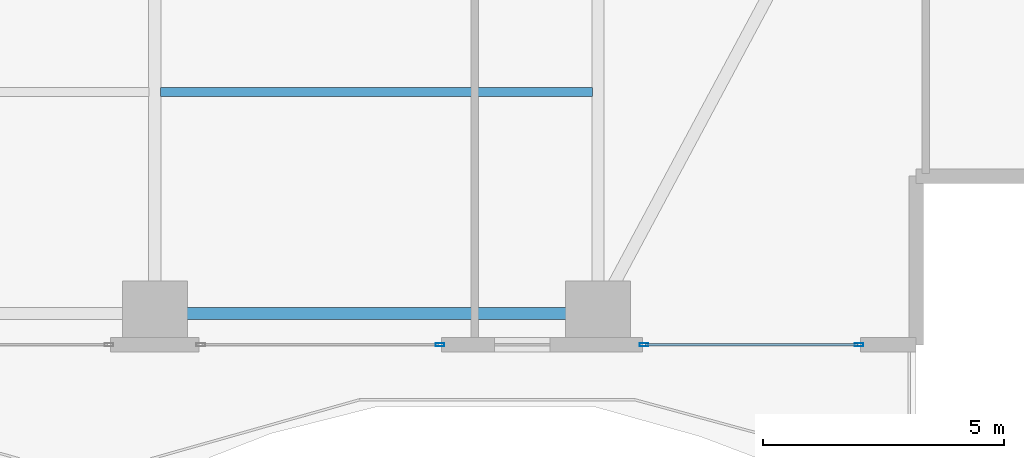
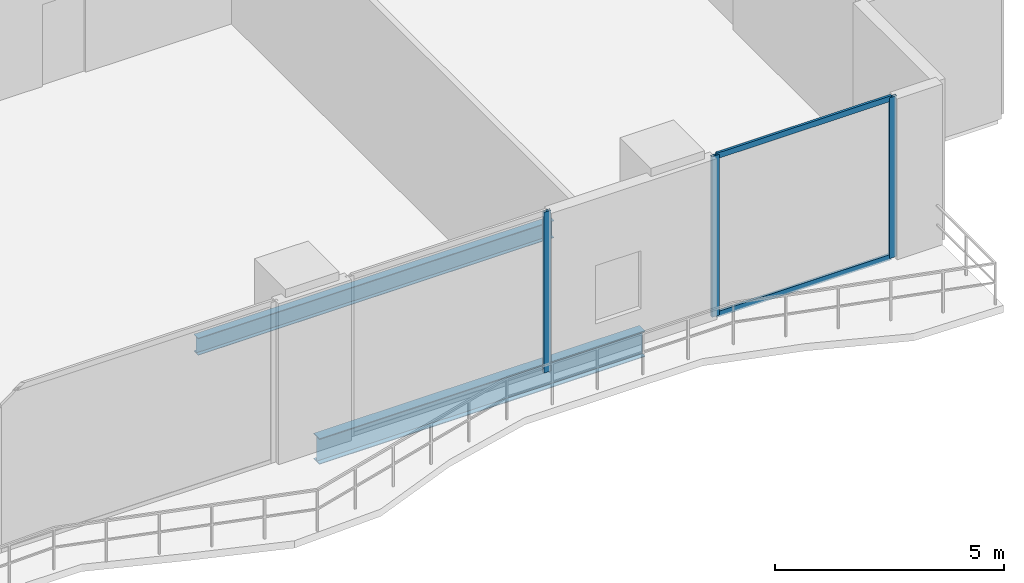
# One storey, part 12 of 33: 5 members, 2 beams, 2 elements without a shape of their own.
"""IFC4 building model written with IfcOpenShell, lengths in metres."""

from ifc_helpers import new_model, si_unit, direction, frame, origin, origin_2d, place, context, subcontext, project, spatial, hollow_rectangle, i_section, extrude, material, layer, layer_set, material_profile, profile_set, type_object, element, aggregate, save


model = new_model("IFC4")

# Units and contexts
model_context = context("Model", 3, precision=1e-05, world=origin(), true_north=direction((0.0, 1.0)))
body_context = subcontext(model_context, "Body", "Model", "MODEL_VIEW")
ifc_project = project(units=[si_unit("LENGTHUNIT", "METRE"), si_unit("AREAUNIT", "SQUARE_METRE"), si_unit("VOLUMEUNIT", "CUBIC_METRE"), si_unit("PLANEANGLEUNIT", "RADIAN"), si_unit("MASSUNIT", "GRAM", prefix="KILO")], contexts=[model_context])

# Site, building, storey
site_placement = place(None, origin())
site = spatial("IfcSite", under=ifc_project, at=site_placement, CompositionType="ELEMENT")
building_placement = place(site_placement, origin())
building = spatial("IfcBuilding", under=site, at=building_placement, Name="Zuhayl Quay Hotel", CompositionType="ELEMENT")
storey_placement = place(building_placement, frame((0.0, 0.0, 154.050048828125)))
storey = spatial("IfcBuildingStorey", under=building, at=storey_placement, Name="L39", CompositionType="ELEMENT", Elevation=154.050048828125)

# Beams
ifc_material_1 = material(Name="Steel ASTM A992 Grade 50", Category="steel")
ifc_material_profile_1 = material_profile(ifc_material_1, i_section(OverallWidth=0.25390625, OverallDepth=0.68310546875, WebThickness=0.012451171875, FlangeThickness=0.018798828125, at=origin_2d()), Name="W27X94")
ifc_profile_set_1 = profile_set([ifc_material_profile_1], Name="Steel ASTM A992 Grade 50")
beam_type_1 = type_object("IfcBeamType", Name="BM_B2_W27X94", PredefinedType="BEAM", material=ifc_profile_set_1)
beam_1_placement = place(storey_placement, frame((5.10009765625, -14.75, -0.5615234375), z_axis=(1.0, 0.0, 0.0), x_axis=(0.0, 1.0, 0.0)))
element("IfcBeam", 1, at=beam_1_placement, inside=storey, type_object=beam_type_1, Name="L39 Floor Beam RG_L39_03", PredefinedType="BEAM", context=body_context, shape_type="SweptSolid", body=[
    extrude(i_section(OverallWidth=0.25390625, OverallDepth=0.68310546875, WebThickness=0.012451171875, FlangeThickness=0.018798828125, at=origin_2d()), origin(), (0.0, 0.0, 1.0), 8.199951171875),
])
ifc_material_profile_2 = material_profile(ifc_material_1, i_section(OverallWidth=0.18994140625, OverallDepth=0.45703125, WebThickness=0.009033203125, FlangeThickness=0.014404296875, at=origin_2d()), Name="W18X50")
ifc_profile_set_2 = profile_set([ifc_material_profile_2], Name="Steel ASTM A992 Grade 50")
beam_type_2 = type_object("IfcBeamType", Name="BM_J2_W18X50", PredefinedType="JOIST", material=ifc_profile_set_2)
beam_2_placement = place(storey_placement, frame((4.718994140625, -10.14990234375, -0.448486328125), z_axis=(1.0, 0.0, 0.0), x_axis=(0.0, 1.0, 0.0)))
element("IfcBeam", 2, at=beam_2_placement, inside=storey, type_object=beam_type_2, Name="L39 Floor Beam FJ_L39_5_3", PredefinedType="JOIST", context=body_context, shape_type="SweptSolid", body=[
    extrude(i_section(OverallWidth=0.18994140625, OverallDepth=0.45703125, WebThickness=0.009033203125, FlangeThickness=0.014404296875, at=origin_2d()), origin(), (0.0, 0.0, 1.0), 8.9619140625),
])

# Curtain wall, members
ifc_material_2 = material(Name="Anodised Aluminium 6063-T6", Category="aluminium")
ifc_layer = layer(ifc_material_2, 0.179931640625, Name="Anodised Aluminium 6063-T6", Category="aluminium")
ifc_layer_set = layer_set([ifc_layer], Name="Anodised Aluminium 6063-T6")
curtain_wall_type = type_object("IfcCurtainWallType", Name="CW_SYS_Z2", PredefinedType="USERDEFINED", material=ifc_layer_set)
curtain_wall_1_placement = place(storey_placement, origin())
curtain_wall_1 = element("IfcCurtainWall", 3, at=curtain_wall_1_placement, inside=storey, type_object=curtain_wall_type, Name="L39 Curtain Wall ENV_L39_S_CW1", ObjectType="UNITISED CURTAIN WALL", PredefinedType="USERDEFINED")
ifc_material_3 = material(Name="Black-anodised aluminium 6063-T6", Category="aluminium")
ifc_material_profile_3 = material_profile(ifc_material_3, hollow_rectangle(XDim=0.06494140625, YDim=0.179931640625, WallThickness=0.00341796875, at=origin_2d()), Name="ALU180X65")
ifc_profile_set_3 = profile_set([ifc_material_profile_3], Name="Black-anodised aluminium 6063-T6")
member_type_1 = type_object("IfcMemberType", Name="MB_CW_MUL_180", PredefinedType="MULLION", material=ifc_profile_set_3)
member_1_placement = place(storey_placement, frame((19.217529296875, -15.39990234375, 0.0), z_axis=(0.0, 0.0, 1.0), x_axis=(0.0, -1.0, 0.0)))
member_1 = element("IfcMember", 4, at=member_1_placement, type_object=member_type_1, Name="CW-Z2 mullion 1", PredefinedType="MULLION", context=body_context, shape_type="SweptSolid", body=[
    extrude(hollow_rectangle(XDim=0.06494140625, YDim=0.179931640625, WallThickness=0.00341796875, at=origin_2d()), origin(), (0.0, 0.0, 1.0), 4.280029296875),
])
member_2_placement = place(storey_placement, frame((14.75244140625, -15.39990234375, 0.0), z_axis=(0.0, 0.0, 1.0), x_axis=(0.0, -1.0, 0.0)))
member_2 = element("IfcMember", 5, at=member_2_placement, type_object=member_type_1, Name="CW-Z2 mullion 2", PredefinedType="MULLION", context=body_context, shape_type="SweptSolid", body=[
    extrude(hollow_rectangle(XDim=0.06494140625, YDim=0.179931640625, WallThickness=0.00341796875, at=origin_2d()), origin(), (0.0, 0.0, 1.0), 4.280029296875),
])

# Curtain wall, member
curtain_wall_2_placement = place(storey_placement, origin())
curtain_wall_2 = element("IfcCurtainWall", 6, at=curtain_wall_2_placement, inside=storey, type_object=curtain_wall_type, Name="L39 Curtain Wall ENV_L39_S_CW2", ObjectType="UNITISED CURTAIN WALL", PredefinedType="USERDEFINED")
member_3_placement = place(storey_placement, frame((10.517578125, -15.39990234375, 0.0), z_axis=(0.0, 0.0, 1.0), x_axis=(0.0, -1.0, 0.0)))
member_3 = element("IfcMember", 7, at=member_3_placement, type_object=member_type_1, Name="CW-Z2 mullion 1", PredefinedType="MULLION", context=body_context, shape_type="SweptSolid", body=[
    extrude(hollow_rectangle(XDim=0.06494140625, YDim=0.179931640625, WallThickness=0.00341796875, at=origin_2d()), origin(), (0.0, 0.0, 1.0), 4.280029296875),
])
aggregate(curtain_wall_2, [member_3])

# Member
ifc_material_profile_4 = material_profile(ifc_material_3, hollow_rectangle(XDim=0.06005859375, YDim=0.14990234375, WallThickness=0.00341796875, at=origin_2d()), Name="ALU150X60")
ifc_profile_set_4 = profile_set([ifc_material_profile_4], Name="Black-anodised aluminium 6063-T6")
member_type_2 = type_object("IfcMemberType", Name="MB_CW_TRN_150", PredefinedType="USERDEFINED", material=ifc_profile_set_4)
member_4_placement = place(storey_placement, frame((19.18505859375, -15.39990234375, 0.030029296875), z_axis=(-1.0, 0.0, 0.0), x_axis=(0.0, -1.0, 0.0)))
member_4 = element("IfcMember", 8, at=member_4_placement, type_object=member_type_2, Name="CW-Z2 transom 1.1", ObjectType="TRANSOM", PredefinedType="USERDEFINED", context=body_context, shape_type="SweptSolid", body=[
    extrude(hollow_rectangle(XDim=0.06005859375, YDim=0.14990234375, WallThickness=0.00341796875, at=origin_2d()), origin(), (0.0, 0.0, 1.0), 4.400146484375),
])

member_5_placement = place(storey_placement, frame((19.18505859375, -15.39990234375, 4.25), z_axis=(-1.0, 0.0, 0.0), x_axis=(0.0, -1.0, 0.0)))
member_5 = element("IfcMember", 9, at=member_5_placement, type_object=member_type_2, Name="CW-Z2 transom 1.2", ObjectType="TRANSOM", PredefinedType="USERDEFINED", context=body_context, shape_type="SweptSolid", body=[
    extrude(hollow_rectangle(XDim=0.06005859375, YDim=0.14990234375, WallThickness=0.00341796875, at=origin_2d()), origin(), (0.0, 0.0, 1.0), 4.400146484375),
])

aggregate(curtain_wall_1, [member_1, member_2, member_4, member_5])

save(model, "model.ifc")
